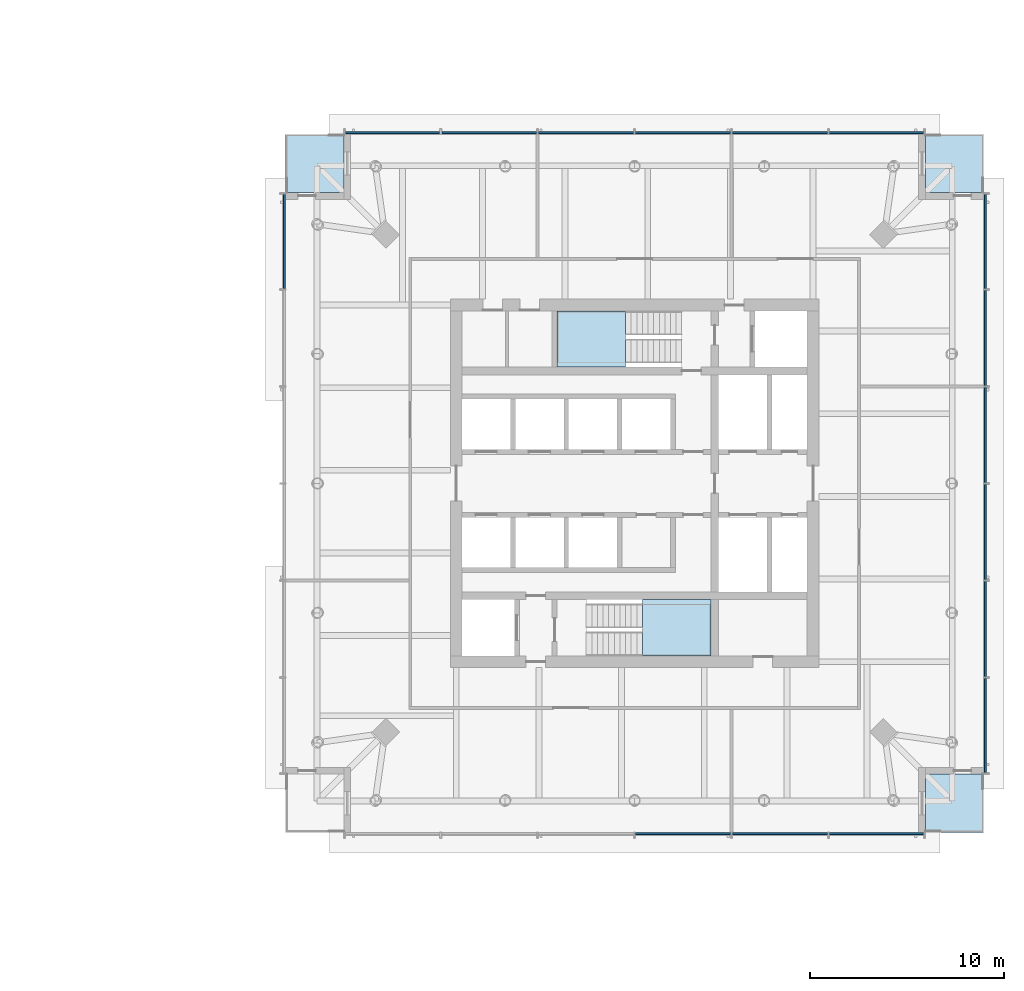
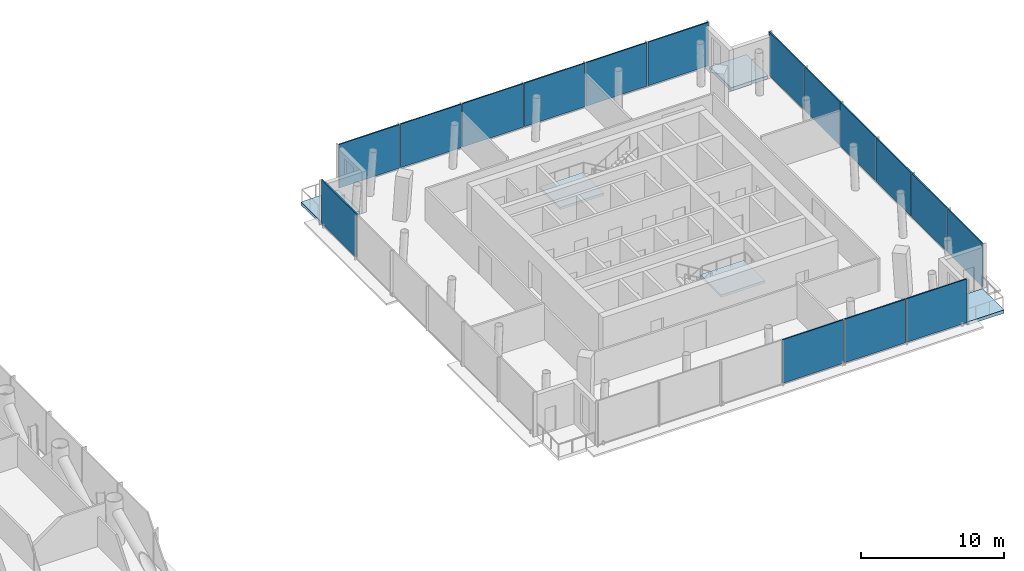
# One storey, part 9 of 28: 16 plates, 5 slabs, 6 elements without a shape of their own.
"""IFC4 building model written with IfcOpenShell, lengths in metres."""

from ifc_helpers import new_model, si_unit, direction, frame, origin, origin_2d, place, context, subcontext, project, spatial, polyline, rectangle, outline, extrude, material, layer, layer_set, type_object, element, aggregate, save


model = new_model("IFC4")

# Units and contexts
model_context = context("Model", 3, precision=1e-05, world=origin(), true_north=direction((0.0, 1.0)))
body_context = subcontext(model_context, "Body", "Model", "MODEL_VIEW")
ifc_project = project(units=[si_unit("LENGTHUNIT", "METRE"), si_unit("AREAUNIT", "SQUARE_METRE"), si_unit("VOLUMEUNIT", "CUBIC_METRE"), si_unit("PLANEANGLEUNIT", "RADIAN"), si_unit("MASSUNIT", "GRAM", prefix="KILO")], contexts=[model_context])

# Site, building, storey
site_placement = place(None, origin())
site = spatial("IfcSite", under=ifc_project, at=site_placement, CompositionType="ELEMENT")
building_placement = place(site_placement, origin())
building = spatial("IfcBuilding", under=site, at=building_placement, Name="Ostroluk Exchange", CompositionType="ELEMENT")
storey_placement = place(building_placement, frame((0.0, 0.0, 81.800048828125)))
storey = spatial("IfcBuildingStorey", under=building, at=storey_placement, Name="L20", CompositionType="ELEMENT", Elevation=81.800048828125)

# Curtain wall, plates
ifc_material_1 = material(Name="Laminated clear glass", Category="glass")
curtain_wall_type = type_object("IfcCurtainWallType", Name="Hotel amenity and plant facade", PredefinedType="USERDEFINED", material=ifc_material_1)
curtain_wall_1_placement = place(storey_placement, origin())
curtain_wall_1 = element("IfcCurtainWall", 1, at=curtain_wall_1_placement, inside=storey, type_object=curtain_wall_type, Name="Hotel tower south facade L20", ObjectType="LOUVRED CURTAIN WALL", PredefinedType="USERDEFINED")
ifc_material_2 = material(Name="Aluminium louvre", Category="aluminium")
ifc_layer_1 = layer(ifc_material_2, 0.10009765625)
ifc_layer_set_1 = layer_set([ifc_layer_1], Name="Aluminium louvre panel 100")
plate_type = type_object("IfcPlateType", Name="Aluminium louvre panel 100", PredefinedType="USERDEFINED", material=ifc_layer_set_1)
plate_1_placement = place(storey_placement, frame((119.5, 27.925048828125, 0.080078125), z_axis=(0.0, 0.0, 1.0), x_axis=(1.0, 0.0, 0.0)))
plate_1 = element("IfcPlate", 2, at=plate_1_placement, type_object=plate_type, Name="CW-H2 panel 4.1", ObjectType="LOUVRE PANEL", PredefinedType="USERDEFINED", context=body_context, shape_type="SweptSolid", body=[
    extrude(rectangle(XDim=4.919921875, YDim=0.10009765625, at=origin_2d()), origin(), (0.0, 0.0, 1.0), 3.719970703125),
])
plate_2_placement = place(storey_placement, frame((124.5, 27.925048828125, 0.080078125), z_axis=(0.0, 0.0, 1.0), x_axis=(1.0, 0.0, 0.0)))
plate_2 = element("IfcPlate", 3, at=plate_2_placement, type_object=plate_type, Name="CW-H2 panel 5.1", ObjectType="LOUVRE PANEL", PredefinedType="USERDEFINED", context=body_context, shape_type="SweptSolid", body=[
    extrude(rectangle(XDim=4.919921875, YDim=0.10009765625, at=origin_2d()), origin(), (0.0, 0.0, 1.0), 3.719970703125),
])
plate_3_placement = place(storey_placement, frame((129.47998046875, 27.925048828125, 0.080078125), z_axis=(0.0, 0.0, 1.0), x_axis=(1.0, 0.0, 0.0)))
plate_3 = element("IfcPlate", 4, at=plate_3_placement, type_object=plate_type, Name="CW-H2 panel 6.1", ObjectType="LOUVRE PANEL", PredefinedType="USERDEFINED", context=body_context, shape_type="SweptSolid", body=[
    extrude(rectangle(XDim=4.8798828125, YDim=0.10009765625, at=origin_2d()), origin(), (0.0, 0.0, 1.0), 3.719970703125),
])
aggregate(curtain_wall_1, [plate_1, plate_2, plate_3])

curtain_wall_2_placement = place(storey_placement, origin())
curtain_wall_2 = element("IfcCurtainWall", 5, at=curtain_wall_2_placement, inside=storey, type_object=curtain_wall_type, Name="Hotel tower east facade L20", ObjectType="LOUVRED CURTAIN WALL", PredefinedType="USERDEFINED")
plate_4_placement = place(storey_placement, frame((135.074951171875, 33.52001953125, 0.080078125), z_axis=(0.0, 0.0, 1.0), x_axis=(0.0, 1.0, 0.0)))
plate_4 = element("IfcPlate", 6, at=plate_4_placement, type_object=plate_type, Name="CW-H2 panel 1.1", ObjectType="LOUVRE PANEL", PredefinedType="USERDEFINED", context=body_context, shape_type="SweptSolid", body=[
    extrude(rectangle(XDim=4.8798828125, YDim=0.10009765625, at=origin_2d()), origin(), (0.0, 0.0, 1.0), 3.719970703125),
])
plate_5_placement = place(storey_placement, frame((135.074951171875, 38.5, 0.080078125), z_axis=(0.0, 0.0, 1.0), x_axis=(0.0, 1.0, 0.0)))
plate_5 = element("IfcPlate", 7, at=plate_5_placement, type_object=plate_type, Name="CW-H2 panel 2.1", ObjectType="LOUVRE PANEL", PredefinedType="USERDEFINED", context=body_context, shape_type="SweptSolid", body=[
    extrude(rectangle(XDim=4.919921875, YDim=0.10009765625, at=origin_2d()), origin(), (0.0, 0.0, 1.0), 3.719970703125),
])
plate_6_placement = place(storey_placement, frame((135.074951171875, 43.5, 0.080078125), z_axis=(0.0, 0.0, 1.0), x_axis=(0.0, 1.0, 0.0)))
plate_6 = element("IfcPlate", 8, at=plate_6_placement, type_object=plate_type, Name="CW-H2 panel 3.1", ObjectType="LOUVRE PANEL", PredefinedType="USERDEFINED", context=body_context, shape_type="SweptSolid", body=[
    extrude(rectangle(XDim=4.919921875, YDim=0.10009765625, at=origin_2d()), origin(), (0.0, 0.0, 1.0), 3.719970703125),
])
plate_7_placement = place(storey_placement, frame((135.074951171875, 48.5, 0.080078125), z_axis=(0.0, 0.0, 1.0), x_axis=(0.0, 1.0, 0.0)))
plate_7 = element("IfcPlate", 9, at=plate_7_placement, type_object=plate_type, Name="CW-H2 panel 4.1", ObjectType="LOUVRE PANEL", PredefinedType="USERDEFINED", context=body_context, shape_type="SweptSolid", body=[
    extrude(rectangle(XDim=4.919921875, YDim=0.10009765625, at=origin_2d()), origin(), (0.0, 0.0, 1.0), 3.719970703125),
])
plate_8_placement = place(storey_placement, frame((135.074951171875, 53.5, 0.080078125), z_axis=(0.0, 0.0, 1.0), x_axis=(0.0, 1.0, 0.0)))
plate_8 = element("IfcPlate", 10, at=plate_8_placement, type_object=plate_type, Name="CW-H2 panel 5.1", ObjectType="LOUVRE PANEL", PredefinedType="USERDEFINED", context=body_context, shape_type="SweptSolid", body=[
    extrude(rectangle(XDim=4.919921875, YDim=0.10009765625, at=origin_2d()), origin(), (0.0, 0.0, 1.0), 3.719970703125),
])
plate_9_placement = place(storey_placement, frame((135.074951171875, 58.47998046875, 0.080078125), z_axis=(0.0, 0.0, 1.0), x_axis=(0.0, 1.0, 0.0)))
plate_9 = element("IfcPlate", 11, at=plate_9_placement, type_object=plate_type, Name="CW-H2 panel 6.1", ObjectType="LOUVRE PANEL", PredefinedType="USERDEFINED", context=body_context, shape_type="SweptSolid", body=[
    extrude(rectangle(XDim=4.8798828125, YDim=0.10009765625, at=origin_2d()), origin(), (0.0, 0.0, 1.0), 3.719970703125),
])
aggregate(curtain_wall_2, [plate_4, plate_5, plate_6, plate_7, plate_8, plate_9])

curtain_wall_3_placement = place(storey_placement, origin())
curtain_wall_3 = element("IfcCurtainWall", 12, at=curtain_wall_3_placement, inside=storey, type_object=curtain_wall_type, Name="Hotel tower north facade L20", ObjectType="LOUVRED CURTAIN WALL", PredefinedType="USERDEFINED")
plate_10_placement = place(storey_placement, frame((129.47998046875, 64.074951171875, 0.080078125), z_axis=(0.0, 0.0, 1.0), x_axis=(-1.0, 0.0, 0.0)))
plate_10 = element("IfcPlate", 13, at=plate_10_placement, type_object=plate_type, Name="CW-H2 panel 1.1", ObjectType="LOUVRE PANEL", PredefinedType="USERDEFINED", context=body_context, shape_type="SweptSolid", body=[
    extrude(rectangle(XDim=4.8798828125, YDim=0.10009765625, at=origin_2d()), origin(), (0.0, 0.0, 1.0), 3.719970703125),
])
plate_11_placement = place(storey_placement, frame((124.5, 64.074951171875, 0.080078125), z_axis=(0.0, 0.0, 1.0), x_axis=(-1.0, 0.0, 0.0)))
plate_11 = element("IfcPlate", 14, at=plate_11_placement, type_object=plate_type, Name="CW-H2 panel 2.1", ObjectType="LOUVRE PANEL", PredefinedType="USERDEFINED", context=body_context, shape_type="SweptSolid", body=[
    extrude(rectangle(XDim=4.919921875, YDim=0.10009765625, at=origin_2d()), origin(), (0.0, 0.0, 1.0), 3.719970703125),
])
plate_12_placement = place(storey_placement, frame((119.5, 64.074951171875, 0.080078125), z_axis=(0.0, 0.0, 1.0), x_axis=(-1.0, 0.0, 0.0)))
plate_12 = element("IfcPlate", 15, at=plate_12_placement, type_object=plate_type, Name="CW-H2 panel 3.1", ObjectType="LOUVRE PANEL", PredefinedType="USERDEFINED", context=body_context, shape_type="SweptSolid", body=[
    extrude(rectangle(XDim=4.919921875, YDim=0.10009765625, at=origin_2d()), origin(), (0.0, 0.0, 1.0), 3.719970703125),
])
plate_13_placement = place(storey_placement, frame((114.5, 64.074951171875, 0.080078125), z_axis=(0.0, 0.0, 1.0), x_axis=(-1.0, 0.0, 0.0)))
plate_13 = element("IfcPlate", 16, at=plate_13_placement, type_object=plate_type, Name="CW-H2 panel 4.1", ObjectType="LOUVRE PANEL", PredefinedType="USERDEFINED", context=body_context, shape_type="SweptSolid", body=[
    extrude(rectangle(XDim=4.919921875, YDim=0.10009765625, at=origin_2d()), origin(), (0.0, 0.0, 1.0), 3.719970703125),
])
plate_14_placement = place(storey_placement, frame((109.5, 64.074951171875, 0.080078125), z_axis=(0.0, 0.0, 1.0), x_axis=(-1.0, 0.0, 0.0)))
plate_14 = element("IfcPlate", 17, at=plate_14_placement, type_object=plate_type, Name="CW-H2 panel 5.1", ObjectType="LOUVRE PANEL", PredefinedType="USERDEFINED", context=body_context, shape_type="SweptSolid", body=[
    extrude(rectangle(XDim=4.919921875, YDim=0.10009765625, at=origin_2d()), origin(), (0.0, 0.0, 1.0), 3.719970703125),
])
plate_15_placement = place(storey_placement, frame((104.52001953125, 64.074951171875, 0.080078125), z_axis=(0.0, 0.0, 1.0), x_axis=(-1.0, 0.0, 0.0)))
plate_15 = element("IfcPlate", 18, at=plate_15_placement, type_object=plate_type, Name="CW-H2 panel 6.1", ObjectType="LOUVRE PANEL", PredefinedType="USERDEFINED", context=body_context, shape_type="SweptSolid", body=[
    extrude(rectangle(XDim=4.8798828125, YDim=0.10009765625, at=origin_2d()), origin(), (0.0, 0.0, 1.0), 3.719970703125),
])
aggregate(curtain_wall_3, [plate_10, plate_11, plate_12, plate_13, plate_14, plate_15])

# Curtain wall, plate
curtain_wall_4_placement = place(storey_placement, origin())
curtain_wall_4 = element("IfcCurtainWall", 19, at=curtain_wall_4_placement, inside=storey, type_object=curtain_wall_type, Name="Hotel tower west facade L20", ObjectType="LOUVRED CURTAIN WALL", PredefinedType="USERDEFINED")
plate_16_placement = place(storey_placement, frame((98.925048828125, 58.47998046875, 0.080078125), z_axis=(0.0, 0.0, 1.0), x_axis=(0.0, -1.0, 0.0)))
plate_16 = element("IfcPlate", 20, at=plate_16_placement, type_object=plate_type, Name="CW-H2 panel 1.1", ObjectType="LOUVRE PANEL", PredefinedType="USERDEFINED", context=body_context, shape_type="SweptSolid", body=[
    extrude(rectangle(XDim=4.8798828125, YDim=0.10009765625, at=origin_2d()), origin(), (0.0, 0.0, 1.0), 3.719970703125),
])
aggregate(curtain_wall_4, [plate_16])

# Slabs
ifc_material_3 = material(Name="Concrete C35/45", Category="concrete")
ifc_layer_2 = layer(ifc_material_3, 0.280029296875)
ifc_layer_set_2 = layer_set([ifc_layer_2], Name="Maintenance platform slab 280")
slab_type_1 = type_object("IfcSlabType", Name="Maintenance platform slab 280", PredefinedType="USERDEFINED", material=ifc_layer_set_2)
slab_1_placement = place(storey_placement, frame((0.0, 0.0, -0.280029296875)))
element("IfcSlab", 21, at=slab_1_placement, inside=storey, type_object=slab_type_1, Name="Hotel tower SE maintenance platform L20", ObjectType="MAINTENANCE PLATFORM", PredefinedType="USERDEFINED", context=body_context, shape_type="SweptSolid", body=[
    extrude(outline(polyline([(132.0, 28.0), (135.0, 28.0), (135.0, 31.0), (132.0, 31.0), (132.0, 28.0)])), origin(), (0.0, 0.0, 1.0), 0.280029296875),
])
slab_2_placement = place(storey_placement, frame((0.0, 0.0, -0.280029296875)))
element("IfcSlab", 22, at=slab_2_placement, inside=storey, type_object=slab_type_1, Name="Hotel tower NE maintenance platform L20", ObjectType="MAINTENANCE PLATFORM", PredefinedType="USERDEFINED", context=body_context, shape_type="SweptSolid", body=[
    extrude(outline(polyline([(132.0, 61.0), (135.0, 61.0), (135.0, 64.0), (132.0, 64.0), (132.0, 61.0)])), origin(), (0.0, 0.0, 1.0), 0.280029296875),
])
slab_3_placement = place(storey_placement, frame((0.0, 0.0, -0.280029296875)))
element("IfcSlab", 23, at=slab_3_placement, inside=storey, type_object=slab_type_1, Name="Hotel tower NW maintenance platform L20", ObjectType="MAINTENANCE PLATFORM", PredefinedType="USERDEFINED", context=body_context, shape_type="SweptSolid", body=[
    extrude(outline(polyline([(99.0, 61.0), (102.0, 61.0), (102.0, 64.0), (99.0, 64.0), (99.0, 61.0)])), origin(), (0.0, 0.0, 1.0), 0.280029296875),
])

# Stair, slab
ifc_material_4 = material(Name="Concrete C30/37", Category="concrete")
stair_type = type_object("IfcStairType", Name="Exit stair half turn 3800", PredefinedType="HALF_TURN_STAIR", material=ifc_material_4)
stair_1_placement = place(storey_placement, origin())
stair_1 = element("IfcStair", 24, at=stair_1_placement, inside=storey, type_object=stair_type, Name="Stair T2-S1 L20", PredefinedType="HALF_TURN_STAIR")
ifc_material_5 = material(Name="Concrete C30/37", Category="concrete")
ifc_layer_3 = layer(ifc_material_5, 0.199951171875)
ifc_layer_set_3 = layer_set([ifc_layer_3], Name="Stair landing 200")
slab_type_2 = type_object("IfcSlabType", Name="Stair landing 200", PredefinedType="LANDING", material=ifc_layer_set_3)
slab_4_placement = place(storey_placement, frame((0.0, 0.0, 1.699951171875)))
slab_4 = element("IfcSlab", 25, at=slab_4_placement, type_object=slab_type_2, Name="T2-S1 landing 1", PredefinedType="LANDING", context=body_context, shape_type="SweptSolid", body=[
    extrude(outline(polyline([(117.39990234375, 37.10009765625), (117.39990234375, 40.0), (120.929931640625, 40.0), (120.929931640625, 37.10009765625), (117.39990234375, 37.10009765625)])), origin(), (0.0, 0.0, 1.0), 0.199951171875),
])
aggregate(stair_1, [slab_4])

stair_2_placement = place(storey_placement, origin())
stair_2 = element("IfcStair", 26, at=stair_2_placement, inside=storey, type_object=stair_type, Name="Stair T2-S2 L20", PredefinedType="HALF_TURN_STAIR")
slab_5_placement = place(storey_placement, frame((0.0, 0.0, 1.699951171875)))
slab_5 = element("IfcSlab", 27, at=slab_5_placement, type_object=slab_type_2, Name="T2-S2 landing 1", PredefinedType="LANDING", context=body_context, shape_type="SweptSolid", body=[
    extrude(outline(polyline([(116.530029296875, 52.0), (116.530029296875, 54.89990234375), (113.0, 54.89990234375), (113.0, 52.0), (116.530029296875, 52.0)])), origin(), (0.0, 0.0, 1.0), 0.199951171875),
])
aggregate(stair_2, [slab_5])

save(model, "model.ifc")
